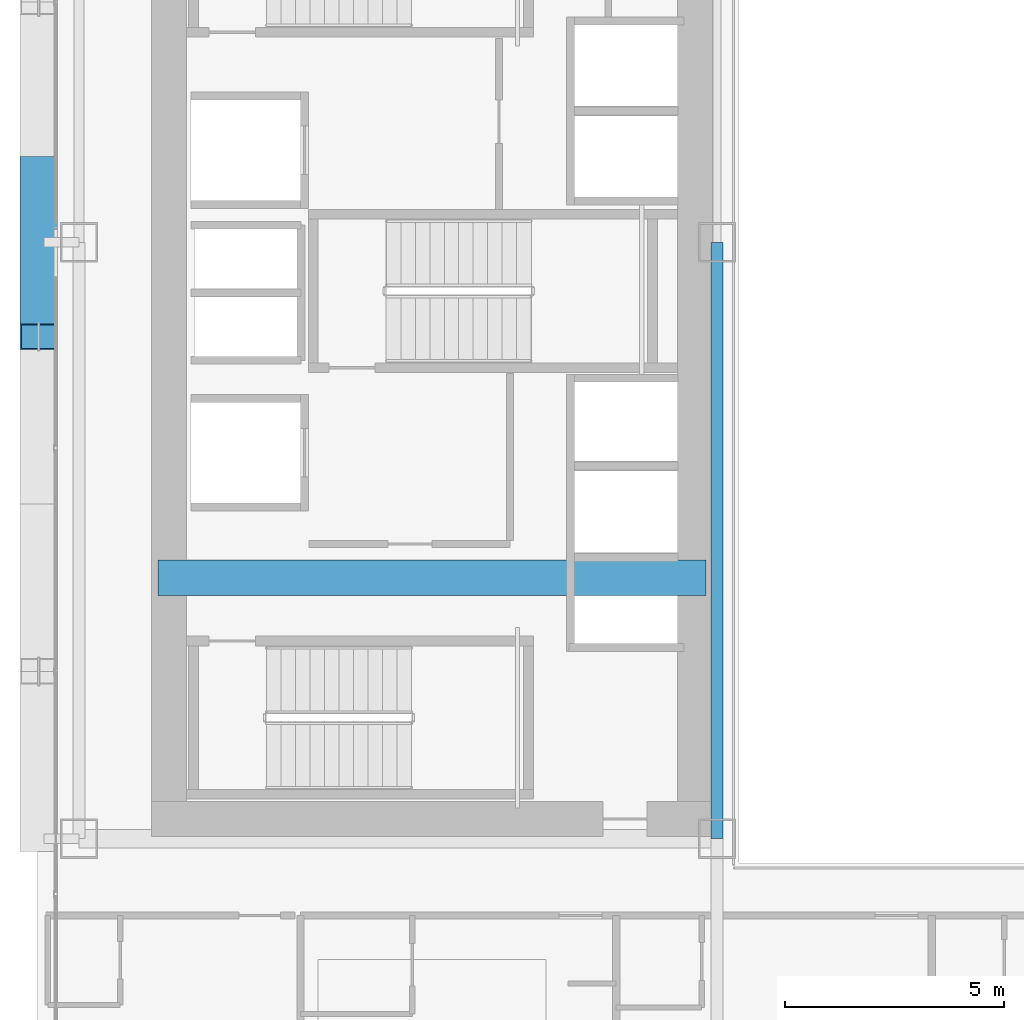
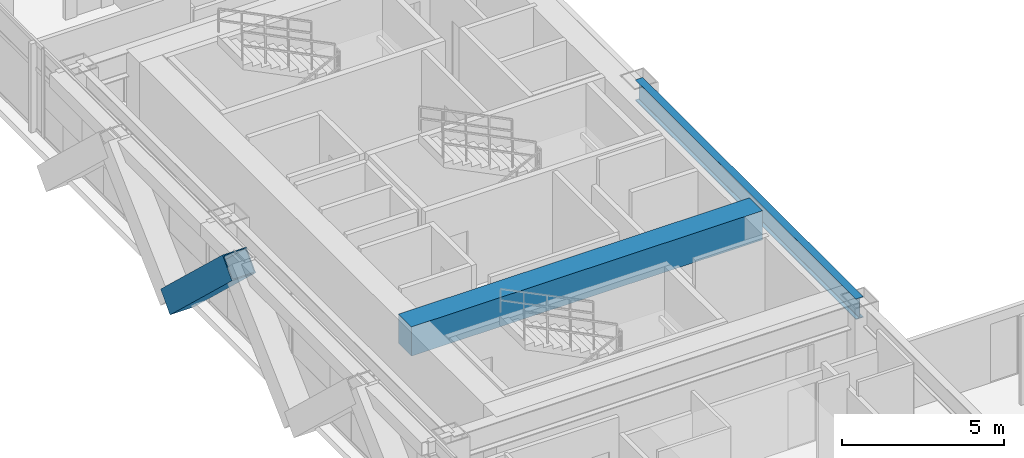
# One storey, part 7 of 35: 2 beams, 1 member.
"""IFC4 building model written with IfcOpenShell, lengths in metres."""

from ifc_helpers import new_model, si_unit, direction, frame, origin, origin_2d, place, context, subcontext, project, spatial, rectangle, hollow_rectangle, i_section, extrude, source, transform, mapped, material, material_profile, profile_set, type_object, element, save


model = new_model("IFC4")

# Units and contexts
model_context = context("Model", 3, precision=1e-05, world=origin(), true_north=direction((0.0, 1.0)))
body_context = subcontext(model_context, "Body", "Model", "MODEL_VIEW")
ifc_project = project(units=[si_unit("LENGTHUNIT", "METRE"), si_unit("AREAUNIT", "SQUARE_METRE"), si_unit("VOLUMEUNIT", "CUBIC_METRE"), si_unit("PLANEANGLEUNIT", "RADIAN"), si_unit("MASSUNIT", "GRAM", prefix="KILO")], contexts=[model_context])

# Site, building, storey
site_placement = place(None, origin())
site = spatial("IfcSite", under=ifc_project, at=site_placement, CompositionType="ELEMENT")
building_placement = place(site_placement, origin())
building = spatial("IfcBuilding", under=site, at=building_placement, Name="Ocotamira Hotel", CompositionType="ELEMENT")
storey_placement = place(building_placement, frame((0.0, 0.0, 78.0)))
storey = spatial("IfcBuildingStorey", under=building, at=storey_placement, Name="L19", CompositionType="ELEMENT", Elevation=78.0)

# Beams
ifc_material_1 = material(Name="Concrete C60/75", Category="concrete")
ifc_material_profile_1 = material_profile(ifc_material_1, rectangle(XDim=0.800048828125, YDim=1.10009765625, at=origin_2d()), Name="RC800X1100")
ifc_profile_set_1 = profile_set([ifc_material_profile_1], Name="Concrete C60/75")
beam_type_1 = type_object("IfcBeamType", Name="BM-LINK-RC800", PredefinedType="LINTEL", material=ifc_profile_set_1)
shared_shape_1 = source(origin(), body_context, "Body", "SweptSolid", [
    extrude(rectangle(XDim=0.800048828125, YDim=1.10009765625, at=origin_2d()), origin(), (0.0, 0.0, 1.0), 12.5),
])
beam_1_placement = place(storey_placement, frame((10.75, 20.5, 2.800048828125), z_axis=(1.0, 0.0, 0.0), x_axis=(0.0, 1.0, 0.0)))
element("IfcBeam", 1, at=beam_1_placement, inside=storey, type_object=beam_type_1, Name="L19 West Core Coupling Beam", PredefinedType="LINTEL", context=body_context, shape_type="MappedRepresentation", body=[
    mapped(shared_shape_1, transform((0.0, 0.0, 0.0), scale=1.0)),
])
ifc_material_2 = material(Name="Steel ASTM A992 Grade 50", Category="steel")
ifc_material_profile_2 = material_profile(ifc_material_2, i_section(OverallWidth=0.26611328125, OverallDepth=0.779052734375, WebThickness=0.0166015625, FlangeThickness=0.030029296875, FilletRadius=0.01806640625, at=origin_2d()), Name="W30X148")
ifc_profile_set_2 = profile_set([ifc_material_profile_2], Name="Steel ASTM A992 Grade 50")
beam_type_2 = type_object("IfcBeamType", Name="BM-GIRD-W30X148", PredefinedType="BEAM", material=ifc_profile_set_2)
shared_shape_2 = source(origin(), body_context, "Body", "SweptSolid", [
    extrude(i_section(OverallWidth=0.26611328125, OverallDepth=0.779052734375, WebThickness=0.0166015625, FlangeThickness=0.030029296875, FilletRadius=0.01806640625, at=origin_2d()), origin(), (0.0, 0.0, 1.0), 13.599853515625),
])
beam_2_placement = place(storey_placement, frame((23.5, 14.550048828125, 2.96044921875), z_axis=(0.0, 1.0, 0.0), x_axis=(-1.0, 0.0, 0.0)))
element("IfcBeam", 2, at=beam_2_placement, inside=storey, type_object=beam_type_2, Name="L19 Beam X23.5 Y14.55-28.15", PredefinedType="BEAM", context=body_context, shape_type="MappedRepresentation", body=[
    mapped(shared_shape_2, transform((0.0, 0.0, 0.0), scale=1.0)),
])

# Member
ifc_material_3 = material(Name="Pale-metal coated steel ASTM A913 Grade 65", Category="steel")
ifc_material_profile_3 = material_profile(ifc_material_3, hollow_rectangle(XDim=0.85009765625, YDim=0.85009765625, WallThickness=0.035888671875, at=origin_2d()), Name="BOX850X850X36")
ifc_profile_set_3 = profile_set([ifc_material_profile_3], Name="Pale-metal coated steel ASTM A913 Grade 65")
member_type = type_object("IfcMemberType", Name="MEM-EXO-BOX850", PredefinedType="BRACE", material=ifc_profile_set_3)
shared_shape_3 = source(origin(), body_context, "Body", "SweptSolid", [
    extrude(hollow_rectangle(XDim=0.85009765625, YDim=0.85009765625, WallThickness=0.035888671875, at=origin_2d()), origin(), (0.0, 0.0, 1.0), 5.24658203125),
])
member_placement = place(storey_placement, frame((8.030029296875, 29.816650390625, -0.5), z_axis=(0.0, -0.727442733726, 0.686168397078), x_axis=(1.0, 0.0, 0.0)))
element("IfcMember", 3, at=member_placement, inside=storey, type_object=member_type, Name="L19 Exoskeleton Diagrid W1.2", PredefinedType="BRACE", context=body_context, shape_type="MappedRepresentation", body=[
    mapped(shared_shape_3, transform((0.0, 0.0, 0.0), scale=1.0)),
])

save(model, "model.ifc")
